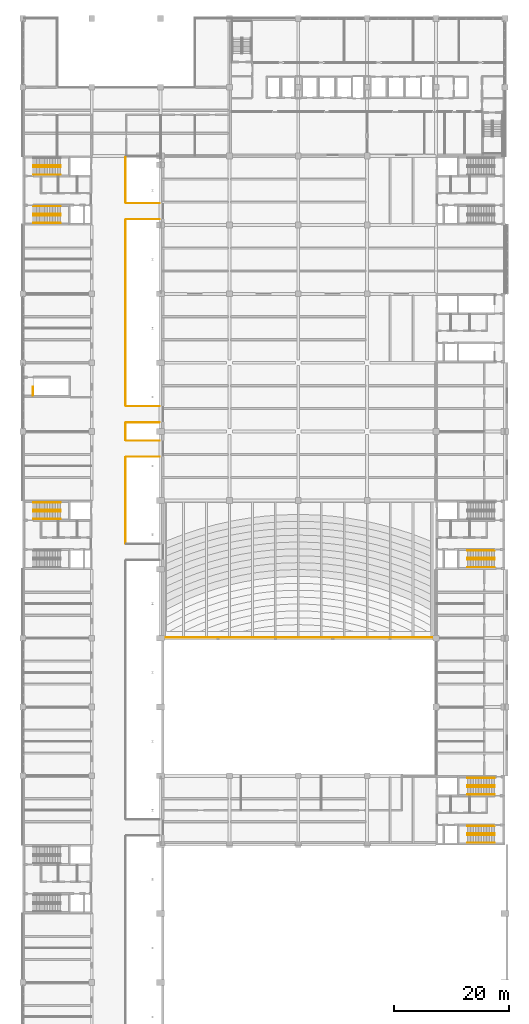
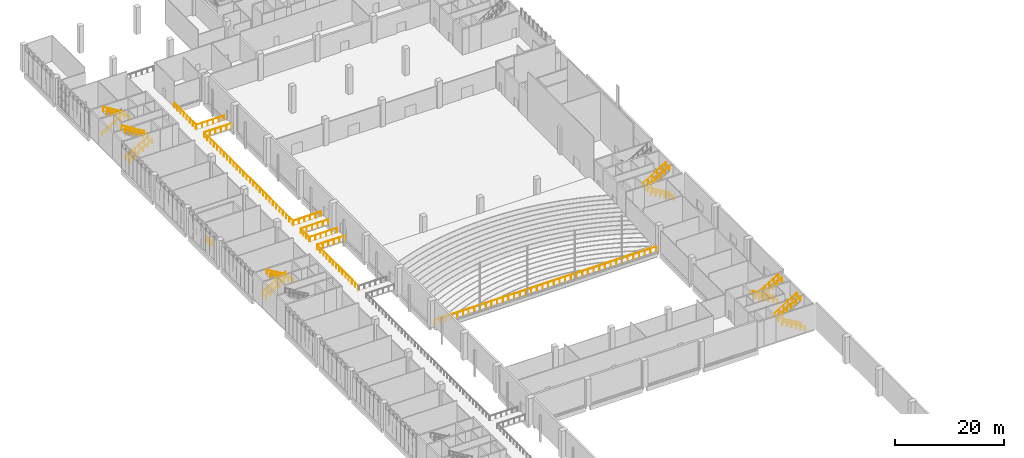
# One storey, part 71 of 72: 35 railings.
"""IFC4 building model written with IfcOpenShell, lengths in metres."""

from ifc_helpers import new_model, si_unit, direction, frame, origin, origin_2d, place, context, subcontext, project, spatial, circle, extrude, material, constituent, constituent_set, type_object, element, save


model = new_model("IFC4")

# Units and contexts
model_context = context("Model", 3, precision=1e-05, world=origin(), true_north=direction((0.0, 1.0)))
body_context = subcontext(model_context, "Body", "Model", "MODEL_VIEW")
ifc_project = project(units=[si_unit("LENGTHUNIT", "METRE"), si_unit("AREAUNIT", "SQUARE_METRE"), si_unit("VOLUMEUNIT", "CUBIC_METRE"), si_unit("PLANEANGLEUNIT", "RADIAN"), si_unit("MASSUNIT", "GRAM", prefix="KILO")], contexts=[model_context])

# Site, building, storey
site_placement = place(None, origin())
site = spatial("IfcSite", under=ifc_project, at=site_placement, CompositionType="ELEMENT")
building_placement = place(site_placement, origin())
building = spatial("IfcBuilding", under=site, at=building_placement, Name="Lilac Gate Convention Centre", CompositionType="ELEMENT")
storey_placement = place(building_placement, frame((0.0, 0.0, 6.0)))
storey = spatial("IfcBuildingStorey", under=building, at=storey_placement, Name="L01", CompositionType="ELEMENT", Elevation=6.0)

# Railings
ifc_material_1 = material(Name="Steel Q355B", Category="steel")
railing_type_1 = type_object("IfcRailingType", Name="Balcony guard 1100", PredefinedType="GUARDRAIL", material=ifc_material_1)
railing_1_placement = place(storey_placement, frame((30.60009765625, 138.10009765625, 0.0)))
element("IfcRailing", 1, at=railing_1_placement, inside=storey, type_object=railing_type_1, Name="GD2 L01 balcony front guard", PredefinedType="GUARDRAIL", context=body_context, shape_type="SweptSolid", body=[
    extrude(circle(Radius=0.02392578125, at=origin_2d()), frame((0.0, 0.0, 1.076171875), z_axis=(1.0, 0.0, 0.0), x_axis=(0.0, 1.0, 0.0)), (0.0, 0.0, 1.0), 46.7998046875),
    extrude(circle(Radius=0.02099609375, at=origin_2d()), origin(), (0.0, 0.0, 1.0), 1.052001953125),
    extrude(circle(Radius=0.02099609375, at=origin_2d()), frame((1.199951171875, 0.0, 0.0)), (0.0, 0.0, 1.0), 1.052001953125),
    extrude(circle(Radius=0.02099609375, at=origin_2d()), frame((2.39990234375, 0.0, 0.0)), (0.0, 0.0, 1.0), 1.052001953125),
    extrude(circle(Radius=0.02099609375, at=origin_2d()), frame((3.60009765625, 0.0, 0.0)), (0.0, 0.0, 1.0), 1.052001953125),
    extrude(circle(Radius=0.02099609375, at=origin_2d()), frame((4.800048828125, 0.0, 0.0)), (0.0, 0.0, 1.0), 1.052001953125),
    extrude(circle(Radius=0.02099609375, at=origin_2d()), frame((6.0, 0.0, 0.0)), (0.0, 0.0, 1.0), 1.052001953125),
    extrude(circle(Radius=0.02099609375, at=origin_2d()), frame((7.199951171875, 0.0, 0.0)), (0.0, 0.0, 1.0), 1.052001953125),
    extrude(circle(Radius=0.02099609375, at=origin_2d()), frame((8.39990234375, 0.0, 0.0)), (0.0, 0.0, 1.0), 1.052001953125),
    extrude(circle(Radius=0.02099609375, at=origin_2d()), frame((9.599853515625, 0.0, 0.0)), (0.0, 0.0, 1.0), 1.052001953125),
    extrude(circle(Radius=0.02099609375, at=origin_2d()), frame((10.800048828125, 0.0, 0.0)), (0.0, 0.0, 1.0), 1.052001953125),
    extrude(circle(Radius=0.02099609375, at=origin_2d()), frame((12.0, 0.0, 0.0)), (0.0, 0.0, 1.0), 1.052001953125),
    extrude(circle(Radius=0.02099609375, at=origin_2d()), frame((13.199951171875, 0.0, 0.0)), (0.0, 0.0, 1.0), 1.052001953125),
    extrude(circle(Radius=0.02099609375, at=origin_2d()), frame((14.39990234375, 0.0, 0.0)), (0.0, 0.0, 1.0), 1.052001953125),
    extrude(circle(Radius=0.02099609375, at=origin_2d()), frame((15.599853515625, 0.0, 0.0)), (0.0, 0.0, 1.0), 1.052001953125),
    extrude(circle(Radius=0.02099609375, at=origin_2d()), frame((16.800048828125, 0.0, 0.0)), (0.0, 0.0, 1.0), 1.052001953125),
    extrude(circle(Radius=0.02099609375, at=origin_2d()), frame((18.0, 0.0, 0.0)), (0.0, 0.0, 1.0), 1.052001953125),
    extrude(circle(Radius=0.02099609375, at=origin_2d()), frame((19.199951171875, 0.0, 0.0)), (0.0, 0.0, 1.0), 1.052001953125),
    extrude(circle(Radius=0.02099609375, at=origin_2d()), frame((20.39990234375, 0.0, 0.0)), (0.0, 0.0, 1.0), 1.052001953125),
    extrude(circle(Radius=0.02099609375, at=origin_2d()), frame((21.599853515625, 0.0, 0.0)), (0.0, 0.0, 1.0), 1.052001953125),
    extrude(circle(Radius=0.02099609375, at=origin_2d()), frame((22.7998046875, 0.0, 0.0)), (0.0, 0.0, 1.0), 1.052001953125),
    extrude(circle(Radius=0.02099609375, at=origin_2d()), frame((24.0, 0.0, 0.0)), (0.0, 0.0, 1.0), 1.052001953125),
    extrude(circle(Radius=0.02099609375, at=origin_2d()), frame((25.199951171875, 0.0, 0.0)), (0.0, 0.0, 1.0), 1.052001953125),
    extrude(circle(Radius=0.02099609375, at=origin_2d()), frame((26.39990234375, 0.0, 0.0)), (0.0, 0.0, 1.0), 1.052001953125),
    extrude(circle(Radius=0.02099609375, at=origin_2d()), frame((27.599853515625, 0.0, 0.0)), (0.0, 0.0, 1.0), 1.052001953125),
    extrude(circle(Radius=0.02099609375, at=origin_2d()), frame((28.7998046875, 0.0, 0.0)), (0.0, 0.0, 1.0), 1.052001953125),
    extrude(circle(Radius=0.02099609375, at=origin_2d()), frame((29.999755859375, 0.0, 0.0)), (0.0, 0.0, 1.0), 1.052001953125),
    extrude(circle(Radius=0.02099609375, at=origin_2d()), frame((31.199951171875, 0.0, 0.0)), (0.0, 0.0, 1.0), 1.052001953125),
    extrude(circle(Radius=0.02099609375, at=origin_2d()), frame((32.39990234375, 0.0, 0.0)), (0.0, 0.0, 1.0), 1.052001953125),
    extrude(circle(Radius=0.02099609375, at=origin_2d()), frame((33.599853515625, 0.0, 0.0)), (0.0, 0.0, 1.0), 1.052001953125),
    extrude(circle(Radius=0.02099609375, at=origin_2d()), frame((34.7998046875, 0.0, 0.0)), (0.0, 0.0, 1.0), 1.052001953125),
    extrude(circle(Radius=0.02099609375, at=origin_2d()), frame((35.999755859375, 0.0, 0.0)), (0.0, 0.0, 1.0), 1.052001953125),
    extrude(circle(Radius=0.02099609375, at=origin_2d()), frame((37.199951171875, 0.0, 0.0)), (0.0, 0.0, 1.0), 1.052001953125),
    extrude(circle(Radius=0.02099609375, at=origin_2d()), frame((38.39990234375, 0.0, 0.0)), (0.0, 0.0, 1.0), 1.052001953125),
    extrude(circle(Radius=0.02099609375, at=origin_2d()), frame((39.599853515625, 0.0, 0.0)), (0.0, 0.0, 1.0), 1.052001953125),
    extrude(circle(Radius=0.02099609375, at=origin_2d()), frame((40.7998046875, 0.0, 0.0)), (0.0, 0.0, 1.0), 1.052001953125),
    extrude(circle(Radius=0.02099609375, at=origin_2d()), frame((41.999755859375, 0.0, 0.0)), (0.0, 0.0, 1.0), 1.052001953125),
    extrude(circle(Radius=0.02099609375, at=origin_2d()), frame((43.19970703125, 0.0, 0.0)), (0.0, 0.0, 1.0), 1.052001953125),
    extrude(circle(Radius=0.02099609375, at=origin_2d()), frame((44.39990234375, 0.0, 0.0)), (0.0, 0.0, 1.0), 1.052001953125),
    extrude(circle(Radius=0.02099609375, at=origin_2d()), frame((45.599853515625, 0.0, 0.0)), (0.0, 0.0, 1.0), 1.052001953125),
    extrude(circle(Radius=0.02099609375, at=origin_2d()), frame((46.7998046875, 0.0, 0.0)), (0.0, 0.0, 1.0), 1.052001953125),
])
ifc_material_2 = material(Name="Steel Q235B", Category="steel")
ifc_constituent_1 = constituent(ifc_material_2, Name="Frame")
ifc_material_3 = material(Name="Safety glass, bonded interlayer", Category="glass")
ifc_constituent_2 = constituent(ifc_material_3, Name="Infill")
ifc_constituent_set = constituent_set(constituents=[ifc_constituent_1, ifc_constituent_2], Name="Steel Q235B, Safety glass, bonded interlayer")
railing_type_2 = type_object("IfcRailingType", Name="Guard 1100 steel and glass", PredefinedType="GUARDRAIL", material=ifc_constituent_set)
railing_2_placement = place(storey_placement, frame((7.75, 180.300048828125, 0.0)))
element("IfcRailing", 2, at=railing_2_placement, inside=storey, type_object=railing_type_2, Name="Stairwell guard UW2", PredefinedType="GUARDRAIL", context=body_context, shape_type="SweptSolid", body=[
    extrude(circle(Radius=0.02392578125, at=origin_2d()), frame((0.0, 0.0, 1.076171875), z_axis=(0.0, 1.0, 0.0), x_axis=(-1.0, 0.0, 0.0)), (0.0, 0.0, 1.0), 1.5),
    extrude(circle(Radius=0.02099609375, at=origin_2d()), origin(), (0.0, 0.0, 1.0), 1.052001953125),
    extrude(circle(Radius=0.02099609375, at=origin_2d()), frame((0.0, 0.75, 0.0)), (0.0, 0.0, 1.0), 1.052001953125),
    extrude(circle(Radius=0.02099609375, at=origin_2d()), frame((0.0, 1.5, 0.0)), (0.0, 0.0, 1.0), 1.052001953125),
])
railing_3_placement = place(storey_placement, frame((23.89990234375, 154.5, 0.0)))
element("IfcRailing", 3, at=railing_3_placement, inside=storey, type_object=railing_type_2, Name="Gallery guard L01", PredefinedType="GUARDRAIL", context=body_context, shape_type="SweptSolid", body=[
    extrude(circle(Radius=0.02392578125, at=origin_2d()), frame((0.0, 0.0, 1.076171875), z_axis=(0.0, 1.0, 0.0), x_axis=(-1.0, 0.0, 0.0)), (0.0, 0.0, 1.0), 15.0),
    extrude(circle(Radius=0.02099609375, at=origin_2d()), origin(), (0.0, 0.0, 1.0), 1.052001953125),
    extrude(circle(Radius=0.02099609375, at=origin_2d()), frame((0.0, 1.15380859375, 0.0)), (0.0, 0.0, 1.0), 1.052001953125),
    extrude(circle(Radius=0.02099609375, at=origin_2d()), frame((0.0, 2.3076171875, 0.0)), (0.0, 0.0, 1.0), 1.052001953125),
    extrude(circle(Radius=0.02099609375, at=origin_2d()), frame((0.0, 3.46142578125, 0.0)), (0.0, 0.0, 1.0), 1.052001953125),
    extrude(circle(Radius=0.02099609375, at=origin_2d()), frame((0.0, 4.615478515625, 0.0)), (0.0, 0.0, 1.0), 1.052001953125),
    extrude(circle(Radius=0.02099609375, at=origin_2d()), frame((0.0, 5.769287109375, 0.0)), (0.0, 0.0, 1.0), 1.052001953125),
    extrude(circle(Radius=0.02099609375, at=origin_2d()), frame((0.0, 6.923095703125, 0.0)), (0.0, 0.0, 1.0), 1.052001953125),
    extrude(circle(Radius=0.02099609375, at=origin_2d()), frame((0.0, 8.076904296875, 0.0)), (0.0, 0.0, 1.0), 1.052001953125),
    extrude(circle(Radius=0.02099609375, at=origin_2d()), frame((0.0, 9.230712890625, 0.0)), (0.0, 0.0, 1.0), 1.052001953125),
    extrude(circle(Radius=0.02099609375, at=origin_2d()), frame((0.0, 10.384521484375, 0.0)), (0.0, 0.0, 1.0), 1.052001953125),
    extrude(circle(Radius=0.02099609375, at=origin_2d()), frame((0.0, 11.53857421875, 0.0)), (0.0, 0.0, 1.0), 1.052001953125),
    extrude(circle(Radius=0.02099609375, at=origin_2d()), frame((0.0, 12.6923828125, 0.0)), (0.0, 0.0, 1.0), 1.052001953125),
    extrude(circle(Radius=0.02099609375, at=origin_2d()), frame((0.0, 13.84619140625, 0.0)), (0.0, 0.0, 1.0), 1.052001953125),
    extrude(circle(Radius=0.02099609375, at=origin_2d()), frame((0.0, 15.0, 0.0)), (0.0, 0.0, 1.0), 1.052001953125),
])
railing_4_placement = place(storey_placement, frame((23.89990234375, 172.5, 0.0)))
element("IfcRailing", 4, at=railing_4_placement, inside=storey, type_object=railing_type_2, Name="Gallery guard L01", PredefinedType="GUARDRAIL", context=body_context, shape_type="SweptSolid", body=[
    extrude(circle(Radius=0.02392578125, at=origin_2d()), frame((0.0, 0.0, 1.076171875), z_axis=(0.0, 1.0, 0.0), x_axis=(-1.0, 0.0, 0.0)), (0.0, 0.0, 1.0), 3.0),
    extrude(circle(Radius=0.02099609375, at=origin_2d()), origin(), (0.0, 0.0, 1.0), 1.052001953125),
    extrude(circle(Radius=0.02099609375, at=origin_2d()), frame((0.0, 1.0, 0.0)), (0.0, 0.0, 1.0), 1.052001953125),
    extrude(circle(Radius=0.02099609375, at=origin_2d()), frame((0.0, 2.0, 0.0)), (0.0, 0.0, 1.0), 1.052001953125),
    extrude(circle(Radius=0.02099609375, at=origin_2d()), frame((0.0, 3.0, 0.0)), (0.0, 0.0, 1.0), 1.052001953125),
])
railing_5_placement = place(storey_placement, frame((23.89990234375, 178.5, 0.0)))
element("IfcRailing", 5, at=railing_5_placement, inside=storey, type_object=railing_type_2, Name="Gallery guard L01", PredefinedType="GUARDRAIL", context=body_context, shape_type="SweptSolid", body=[
    extrude(circle(Radius=0.02392578125, at=origin_2d()), frame((0.0, 0.0, 1.076171875), z_axis=(0.0, 1.0, 0.0), x_axis=(-1.0, 0.0, 0.0)), (0.0, 0.0, 1.0), 32.39990234375),
    extrude(circle(Radius=0.02099609375, at=origin_2d()), origin(), (0.0, 0.0, 1.0), 1.052001953125),
    extrude(circle(Radius=0.02099609375, at=origin_2d()), frame((0.0, 1.199951171875, 0.0)), (0.0, 0.0, 1.0), 1.052001953125),
    extrude(circle(Radius=0.02099609375, at=origin_2d()), frame((0.0, 2.39990234375, 0.0)), (0.0, 0.0, 1.0), 1.052001953125),
    extrude(circle(Radius=0.02099609375, at=origin_2d()), frame((0.0, 3.60009765625, 0.0)), (0.0, 0.0, 1.0), 1.052001953125),
    extrude(circle(Radius=0.02099609375, at=origin_2d()), frame((0.0, 4.800048828125, 0.0)), (0.0, 0.0, 1.0), 1.052001953125),
    extrude(circle(Radius=0.02099609375, at=origin_2d()), frame((0.0, 6.0, 0.0)), (0.0, 0.0, 1.0), 1.052001953125),
    extrude(circle(Radius=0.02099609375, at=origin_2d()), frame((0.0, 7.199951171875, 0.0)), (0.0, 0.0, 1.0), 1.052001953125),
    extrude(circle(Radius=0.02099609375, at=origin_2d()), frame((0.0, 8.39990234375, 0.0)), (0.0, 0.0, 1.0), 1.052001953125),
    extrude(circle(Radius=0.02099609375, at=origin_2d()), frame((0.0, 9.599853515625, 0.0)), (0.0, 0.0, 1.0), 1.052001953125),
    extrude(circle(Radius=0.02099609375, at=origin_2d()), frame((0.0, 10.800048828125, 0.0)), (0.0, 0.0, 1.0), 1.052001953125),
    extrude(circle(Radius=0.02099609375, at=origin_2d()), frame((0.0, 12.0, 0.0)), (0.0, 0.0, 1.0), 1.052001953125),
    extrude(circle(Radius=0.02099609375, at=origin_2d()), frame((0.0, 13.199951171875, 0.0)), (0.0, 0.0, 1.0), 1.052001953125),
    extrude(circle(Radius=0.02099609375, at=origin_2d()), frame((0.0, 14.39990234375, 0.0)), (0.0, 0.0, 1.0), 1.052001953125),
    extrude(circle(Radius=0.02099609375, at=origin_2d()), frame((0.0, 15.599853515625, 0.0)), (0.0, 0.0, 1.0), 1.052001953125),
    extrude(circle(Radius=0.02099609375, at=origin_2d()), frame((0.0, 16.800048828125, 0.0)), (0.0, 0.0, 1.0), 1.052001953125),
    extrude(circle(Radius=0.02099609375, at=origin_2d()), frame((0.0, 18.0, 0.0)), (0.0, 0.0, 1.0), 1.052001953125),
    extrude(circle(Radius=0.02099609375, at=origin_2d()), frame((0.0, 19.199951171875, 0.0)), (0.0, 0.0, 1.0), 1.052001953125),
    extrude(circle(Radius=0.02099609375, at=origin_2d()), frame((0.0, 20.39990234375, 0.0)), (0.0, 0.0, 1.0), 1.052001953125),
    extrude(circle(Radius=0.02099609375, at=origin_2d()), frame((0.0, 21.599853515625, 0.0)), (0.0, 0.0, 1.0), 1.052001953125),
    extrude(circle(Radius=0.02099609375, at=origin_2d()), frame((0.0, 22.800048828125, 0.0)), (0.0, 0.0, 1.0), 1.052001953125),
    extrude(circle(Radius=0.02099609375, at=origin_2d()), frame((0.0, 24.0, 0.0)), (0.0, 0.0, 1.0), 1.052001953125),
    extrude(circle(Radius=0.02099609375, at=origin_2d()), frame((0.0, 25.199951171875, 0.0)), (0.0, 0.0, 1.0), 1.052001953125),
    extrude(circle(Radius=0.02099609375, at=origin_2d()), frame((0.0, 26.39990234375, 0.0)), (0.0, 0.0, 1.0), 1.052001953125),
    extrude(circle(Radius=0.02099609375, at=origin_2d()), frame((0.0, 27.599853515625, 0.0)), (0.0, 0.0, 1.0), 1.052001953125),
    extrude(circle(Radius=0.02099609375, at=origin_2d()), frame((0.0, 28.7998046875, 0.0)), (0.0, 0.0, 1.0), 1.052001953125),
    extrude(circle(Radius=0.02099609375, at=origin_2d()), frame((0.0, 30.0, 0.0)), (0.0, 0.0, 1.0), 1.052001953125),
    extrude(circle(Radius=0.02099609375, at=origin_2d()), frame((0.0, 31.199951171875, 0.0)), (0.0, 0.0, 1.0), 1.052001953125),
    extrude(circle(Radius=0.02099609375, at=origin_2d()), frame((0.0, 32.39990234375, 0.0)), (0.0, 0.0, 1.0), 1.052001953125),
])
railing_6_placement = place(storey_placement, frame((23.89990234375, 213.89990234375, 0.0)))
element("IfcRailing", 6, at=railing_6_placement, inside=storey, type_object=railing_type_2, Name="Gallery guard L01", PredefinedType="GUARDRAIL", context=body_context, shape_type="SweptSolid", body=[
    extrude(circle(Radius=0.02392578125, at=origin_2d()), frame((0.0, 0.0, 1.076171875), z_axis=(0.0, 1.0, 0.0), x_axis=(-1.0, 0.0, 0.0)), (0.0, 0.0, 1.0), 7.900146484375),
    extrude(circle(Radius=0.02099609375, at=origin_2d()), origin(), (0.0, 0.0, 1.0), 1.052001953125),
    extrude(circle(Radius=0.02099609375, at=origin_2d()), frame((0.0, 1.128662109375, 0.0)), (0.0, 0.0, 1.0), 1.052001953125),
    extrude(circle(Radius=0.02099609375, at=origin_2d()), frame((0.0, 2.257080078125, 0.0)), (0.0, 0.0, 1.0), 1.052001953125),
    extrude(circle(Radius=0.02099609375, at=origin_2d()), frame((0.0, 3.3857421875, 0.0)), (0.0, 0.0, 1.0), 1.052001953125),
    extrude(circle(Radius=0.02099609375, at=origin_2d()), frame((0.0, 4.514404296875, 0.0)), (0.0, 0.0, 1.0), 1.052001953125),
    extrude(circle(Radius=0.02099609375, at=origin_2d()), frame((0.0, 5.64306640625, 0.0)), (0.0, 0.0, 1.0), 1.052001953125),
    extrude(circle(Radius=0.02099609375, at=origin_2d()), frame((0.0, 6.771484375, 0.0)), (0.0, 0.0, 1.0), 1.052001953125),
    extrude(circle(Radius=0.02099609375, at=origin_2d()), frame((0.0, 7.900146484375, 0.0)), (0.0, 0.0, 1.0), 1.052001953125),
])
for number, where, name in (
    (7, (24.0, 169.60009765625, 0.0), "Bridge guard L01"),
    (8, (24.0, 172.39990234375, 0.0), "Bridge guard L01"),
    (9, (24.0, 175.60009765625, 0.0), "Bridge guard L01"),
    (10, (24.0, 178.39990234375, 0.0), "Bridge guard L01"),
    (11, (24.0, 211.0, 0.0), "Bridge guard L01"),
    (12, (24.0, 213.800048828125, 0.0), "Bridge guard L01"),
):
    element("IfcRailing", number, at=place(storey_placement, frame(where)), inside=storey, type_object=railing_type_2, Name=name, PredefinedType="GUARDRAIL", context=body_context, shape_type="SweptSolid", body=[
        extrude(circle(Radius=0.02392578125, at=origin_2d()), frame((0.0, 0.0, 1.076171875), z_axis=(1.0, 0.0, 0.0), x_axis=(0.0, 1.0, 0.0)), (0.0, 0.0, 1.0), 5.800048828125),
        extrude(circle(Radius=0.02099609375, at=origin_2d()), origin(), (0.0, 0.0, 1.0), 1.052001953125),
        extrude(circle(Radius=0.02099609375, at=origin_2d()), frame((1.159912109375, 0.0, 0.0)), (0.0, 0.0, 1.0), 1.052001953125),
        extrude(circle(Radius=0.02099609375, at=origin_2d()), frame((2.320068359375, 0.0, 0.0)), (0.0, 0.0, 1.0), 1.052001953125),
        extrude(circle(Radius=0.02099609375, at=origin_2d()), frame((3.47998046875, 0.0, 0.0)), (0.0, 0.0, 1.0), 1.052001953125),
        extrude(circle(Radius=0.02099609375, at=origin_2d()), frame((4.64013671875, 0.0, 0.0)), (0.0, 0.0, 1.0), 1.052001953125),
        extrude(circle(Radius=0.02099609375, at=origin_2d()), frame((5.800048828125, 0.0, 0.0)), (0.0, 0.0, 1.0), 1.052001953125),
    ])
ifc_material_4 = material(Name="Stainless steel 304", Category="steel")
railing_type_3 = type_object("IfcRailingType", Name="Stair handrail 900", PredefinedType="HANDRAIL", material=ifc_material_4)
for number, where, name in (
    (13, (7.800048828125, 160.35009765625, 0.166748046875), "Stair handrail W3B"),
    (14, (7.800048828125, 161.64990234375, 0.166748046875), "Stair handrail W3B"),
):
    element("IfcRailing", number, at=place(storey_placement, frame(where)), inside=storey, type_object=railing_type_3, Name=name, PredefinedType="HANDRAIL", context=body_context, shape_type="SweptSolid", body=[
        extrude(circle(Radius=0.02392578125, at=origin_2d()), frame((0.0, 0.0, 0.8759765625), z_axis=(0.859299802514, 0.0, 0.511472237174), x_axis=(0.0, 1.0, 0.0)), (0.0, 0.0, 1.0), 5.539306640625),
        extrude(circle(Radius=0.02099609375, at=origin_2d()), origin(), (0.0, 0.0, 1.0), 0.851806640625),
        extrude(circle(Radius=0.02099609375, at=origin_2d()), frame((0.951904296875, 0.0, 0.566650390625)), (0.0, 0.0, 1.0), 0.851806640625),
        extrude(circle(Radius=0.02099609375, at=origin_2d()), frame((1.904052734375, 0.0, 1.13330078125)), (0.0, 0.0, 1.0), 0.851806640625),
        extrude(circle(Radius=0.02099609375, at=origin_2d()), frame((2.85595703125, 0.0, 1.699951171875)), (0.0, 0.0, 1.0), 0.851806640625),
        extrude(circle(Radius=0.02099609375, at=origin_2d()), frame((3.80810546875, 0.0, 2.2666015625)), (0.0, 0.0, 1.0), 0.851806640625),
        extrude(circle(Radius=0.02099609375, at=origin_2d()), frame((4.760009765625, 0.0, 2.833251953125)), (0.0, 0.0, 1.0), 0.851806640625),
    ])
for number, where, name in (
    (15, (12.56005859375, 158.75, 3.166748046875), "Stair handrail W3B"),
    (16, (12.56005859375, 160.050048828125, 3.166748046875), "Stair handrail W3B"),
):
    element("IfcRailing", number, at=place(storey_placement, frame(where)), inside=storey, type_object=railing_type_3, Name=name, PredefinedType="HANDRAIL", context=body_context, shape_type="SweptSolid", body=[
        extrude(circle(Radius=0.02392578125, at=origin_2d()), frame((0.0, 0.0, 0.8759765625), z_axis=(-0.859299802514, 0.0, 0.511472237174), x_axis=(0.0, -1.0, 0.0)), (0.0, 0.0, 1.0), 5.539306640625),
        extrude(circle(Radius=0.02099609375, at=origin_2d()), origin(), (0.0, 0.0, 1.0), 0.851806640625),
        extrude(circle(Radius=0.02099609375, at=origin_2d()), frame((-0.951904296875, 0.0, 0.566650390625)), (0.0, 0.0, 1.0), 0.851806640625),
        extrude(circle(Radius=0.02099609375, at=origin_2d()), frame((-1.904052734375, 0.0, 1.13330078125)), (0.0, 0.0, 1.0), 0.851806640625),
        extrude(circle(Radius=0.02099609375, at=origin_2d()), frame((-2.85595703125, 0.0, 1.699951171875)), (0.0, 0.0, 1.0), 0.851806640625),
        extrude(circle(Radius=0.02099609375, at=origin_2d()), frame((-3.80810546875, 0.0, 2.2666015625)), (0.0, 0.0, 1.0), 0.851806640625),
        extrude(circle(Radius=0.02099609375, at=origin_2d()), frame((-4.760009765625, 0.0, 2.833251953125)), (0.0, 0.0, 1.0), 0.851806640625),
    ])
for number, where, name in (
    (17, (7.800048828125, 210.35009765625, 0.166748046875), "Stair handrail W4A"),
    (18, (7.800048828125, 211.64990234375, 0.166748046875), "Stair handrail W4A"),
):
    element("IfcRailing", number, at=place(storey_placement, frame(where)), inside=storey, type_object=railing_type_3, Name=name, PredefinedType="HANDRAIL", context=body_context, shape_type="SweptSolid", body=[
        extrude(circle(Radius=0.02392578125, at=origin_2d()), frame((0.0, 0.0, 0.8759765625), z_axis=(0.859299802514, 0.0, 0.511472237174), x_axis=(0.0, 1.0, 0.0)), (0.0, 0.0, 1.0), 5.539306640625),
        extrude(circle(Radius=0.02099609375, at=origin_2d()), origin(), (0.0, 0.0, 1.0), 0.851806640625),
        extrude(circle(Radius=0.02099609375, at=origin_2d()), frame((0.951904296875, 0.0, 0.566650390625)), (0.0, 0.0, 1.0), 0.851806640625),
        extrude(circle(Radius=0.02099609375, at=origin_2d()), frame((1.904052734375, 0.0, 1.13330078125)), (0.0, 0.0, 1.0), 0.851806640625),
        extrude(circle(Radius=0.02099609375, at=origin_2d()), frame((2.85595703125, 0.0, 1.699951171875)), (0.0, 0.0, 1.0), 0.851806640625),
        extrude(circle(Radius=0.02099609375, at=origin_2d()), frame((3.80810546875, 0.0, 2.2666015625)), (0.0, 0.0, 1.0), 0.851806640625),
        extrude(circle(Radius=0.02099609375, at=origin_2d()), frame((4.760009765625, 0.0, 2.833251953125)), (0.0, 0.0, 1.0), 0.851806640625),
    ])
for number, where, name in (
    (19, (12.56005859375, 211.949951171875, 3.166748046875), "Stair handrail W4A"),
    (20, (12.56005859375, 213.25, 3.166748046875), "Stair handrail W4A"),
):
    element("IfcRailing", number, at=place(storey_placement, frame(where)), inside=storey, type_object=railing_type_3, Name=name, PredefinedType="HANDRAIL", context=body_context, shape_type="SweptSolid", body=[
        extrude(circle(Radius=0.02392578125, at=origin_2d()), frame((0.0, 0.0, 0.8759765625), z_axis=(-0.859299802514, 0.0, 0.511472237174), x_axis=(0.0, -1.0, 0.0)), (0.0, 0.0, 1.0), 5.539306640625),
        extrude(circle(Radius=0.02099609375, at=origin_2d()), origin(), (0.0, 0.0, 1.0), 0.851806640625),
        extrude(circle(Radius=0.02099609375, at=origin_2d()), frame((-0.951904296875, 0.0, 0.566650390625)), (0.0, 0.0, 1.0), 0.851806640625),
        extrude(circle(Radius=0.02099609375, at=origin_2d()), frame((-1.904052734375, 0.0, 1.13330078125)), (0.0, 0.0, 1.0), 0.851806640625),
        extrude(circle(Radius=0.02099609375, at=origin_2d()), frame((-2.85595703125, 0.0, 1.699951171875)), (0.0, 0.0, 1.0), 0.851806640625),
        extrude(circle(Radius=0.02099609375, at=origin_2d()), frame((-3.80810546875, 0.0, 2.2666015625)), (0.0, 0.0, 1.0), 0.851806640625),
        extrude(circle(Radius=0.02099609375, at=origin_2d()), frame((-4.760009765625, 0.0, 2.833251953125)), (0.0, 0.0, 1.0), 0.851806640625),
    ])
railing_7_placement = place(storey_placement, frame((7.800048828125, 220.35009765625, 0.166748046875)))
element("IfcRailing", 21, at=railing_7_placement, inside=storey, type_object=railing_type_3, Name="Stair handrail W4B", PredefinedType="HANDRAIL", context=body_context, shape_type="SweptSolid", body=[
    extrude(circle(Radius=0.02392578125, at=origin_2d()), frame((0.0, 0.0, 0.8759765625), z_axis=(0.859299802514, 0.0, 0.511472237174), x_axis=(0.0, 1.0, 0.0)), (0.0, 0.0, 1.0), 5.539306640625),
    extrude(circle(Radius=0.02099609375, at=origin_2d()), origin(), (0.0, 0.0, 1.0), 0.851806640625),
    extrude(circle(Radius=0.02099609375, at=origin_2d()), frame((0.951904296875, 0.0, 0.566650390625)), (0.0, 0.0, 1.0), 0.851806640625),
    extrude(circle(Radius=0.02099609375, at=origin_2d()), frame((1.904052734375, 0.0, 1.13330078125)), (0.0, 0.0, 1.0), 0.851806640625),
    extrude(circle(Radius=0.02099609375, at=origin_2d()), frame((2.85595703125, 0.0, 1.699951171875)), (0.0, 0.0, 1.0), 0.851806640625),
    extrude(circle(Radius=0.02099609375, at=origin_2d()), frame((3.80810546875, 0.0, 2.2666015625)), (0.0, 0.0, 1.0), 0.851806640625),
    extrude(circle(Radius=0.02099609375, at=origin_2d()), frame((4.760009765625, 0.0, 2.833251953125)), (0.0, 0.0, 1.0), 0.851806640625),
])
for number, where, name in (
    (22, (12.56005859375, 218.75, 3.166748046875), "Stair handrail W4B"),
    (23, (12.56005859375, 220.050048828125, 3.166748046875), "Stair handrail W4B"),
    (24, (88.199951171875, 102.35009765625, 0.166748046875), "Stair handrail E1A"),
    (25, (88.199951171875, 103.64990234375, 0.166748046875), "Stair handrail E1A"),
):
    element("IfcRailing", number, at=place(storey_placement, frame(where)), inside=storey, type_object=railing_type_3, Name=name, PredefinedType="HANDRAIL", context=body_context, shape_type="SweptSolid", body=[
        extrude(circle(Radius=0.02392578125, at=origin_2d()), frame((0.0, 0.0, 0.8759765625), z_axis=(-0.859299802514, 0.0, 0.511472237174), x_axis=(0.0, -1.0, 0.0)), (0.0, 0.0, 1.0), 5.539306640625),
        extrude(circle(Radius=0.02099609375, at=origin_2d()), origin(), (0.0, 0.0, 1.0), 0.851806640625),
        extrude(circle(Radius=0.02099609375, at=origin_2d()), frame((-0.951904296875, 0.0, 0.566650390625)), (0.0, 0.0, 1.0), 0.851806640625),
        extrude(circle(Radius=0.02099609375, at=origin_2d()), frame((-1.904052734375, 0.0, 1.13330078125)), (0.0, 0.0, 1.0), 0.851806640625),
        extrude(circle(Radius=0.02099609375, at=origin_2d()), frame((-2.85595703125, 0.0, 1.699951171875)), (0.0, 0.0, 1.0), 0.851806640625),
        extrude(circle(Radius=0.02099609375, at=origin_2d()), frame((-3.80810546875, 0.0, 2.2666015625)), (0.0, 0.0, 1.0), 0.851806640625),
        extrude(circle(Radius=0.02099609375, at=origin_2d()), frame((-4.760009765625, 0.0, 2.833251953125)), (0.0, 0.0, 1.0), 0.851806640625),
    ])
for number, where, name in (
    (26, (83.43994140625, 103.949951171875, 3.166748046875), "Stair handrail E1A"),
    (27, (83.43994140625, 105.25, 3.166748046875), "Stair handrail E1A"),
):
    element("IfcRailing", number, at=place(storey_placement, frame(where)), inside=storey, type_object=railing_type_3, Name=name, PredefinedType="HANDRAIL", context=body_context, shape_type="SweptSolid", body=[
        extrude(circle(Radius=0.02392578125, at=origin_2d()), frame((0.0, 0.0, 0.8759765625), z_axis=(0.859299802514, 0.0, 0.511472237174), x_axis=(0.0, 1.0, 0.0)), (0.0, 0.0, 1.0), 5.539306640625),
        extrude(circle(Radius=0.02099609375, at=origin_2d()), origin(), (0.0, 0.0, 1.0), 0.851806640625),
        extrude(circle(Radius=0.02099609375, at=origin_2d()), frame((0.951904296875, 0.0, 0.566650390625)), (0.0, 0.0, 1.0), 0.851806640625),
        extrude(circle(Radius=0.02099609375, at=origin_2d()), frame((1.904052734375, 0.0, 1.13330078125)), (0.0, 0.0, 1.0), 0.851806640625),
        extrude(circle(Radius=0.02099609375, at=origin_2d()), frame((2.85595703125, 0.0, 1.699951171875)), (0.0, 0.0, 1.0), 0.851806640625),
        extrude(circle(Radius=0.02099609375, at=origin_2d()), frame((3.80810546875, 0.0, 2.2666015625)), (0.0, 0.0, 1.0), 0.851806640625),
        extrude(circle(Radius=0.02099609375, at=origin_2d()), frame((4.760009765625, 0.0, 2.833251953125)), (0.0, 0.0, 1.0), 0.851806640625),
    ])
for number, where, name in (
    (28, (88.199951171875, 112.35009765625, 0.166748046875), "Stair handrail E1B"),
    (29, (88.199951171875, 113.64990234375, 0.166748046875), "Stair handrail E1B"),
):
    element("IfcRailing", number, at=place(storey_placement, frame(where)), inside=storey, type_object=railing_type_3, Name=name, PredefinedType="HANDRAIL", context=body_context, shape_type="SweptSolid", body=[
        extrude(circle(Radius=0.02392578125, at=origin_2d()), frame((0.0, 0.0, 0.8759765625), z_axis=(-0.859299802514, 0.0, 0.511472237174), x_axis=(0.0, -1.0, 0.0)), (0.0, 0.0, 1.0), 5.539306640625),
        extrude(circle(Radius=0.02099609375, at=origin_2d()), origin(), (0.0, 0.0, 1.0), 0.851806640625),
        extrude(circle(Radius=0.02099609375, at=origin_2d()), frame((-0.951904296875, 0.0, 0.566650390625)), (0.0, 0.0, 1.0), 0.851806640625),
        extrude(circle(Radius=0.02099609375, at=origin_2d()), frame((-1.904052734375, 0.0, 1.13330078125)), (0.0, 0.0, 1.0), 0.851806640625),
        extrude(circle(Radius=0.02099609375, at=origin_2d()), frame((-2.85595703125, 0.0, 1.699951171875)), (0.0, 0.0, 1.0), 0.851806640625),
        extrude(circle(Radius=0.02099609375, at=origin_2d()), frame((-3.80810546875, 0.0, 2.2666015625)), (0.0, 0.0, 1.0), 0.851806640625),
        extrude(circle(Radius=0.02099609375, at=origin_2d()), frame((-4.760009765625, 0.0, 2.833251953125)), (0.0, 0.0, 1.0), 0.851806640625),
    ])
for number, where, name in (
    (30, (83.43994140625, 110.75, 3.166748046875), "Stair handrail E1B"),
    (31, (83.43994140625, 112.050048828125, 3.166748046875), "Stair handrail E1B"),
):
    element("IfcRailing", number, at=place(storey_placement, frame(where)), inside=storey, type_object=railing_type_3, Name=name, PredefinedType="HANDRAIL", context=body_context, shape_type="SweptSolid", body=[
        extrude(circle(Radius=0.02392578125, at=origin_2d()), frame((0.0, 0.0, 0.8759765625), z_axis=(0.859299802514, 0.0, 0.511472237174), x_axis=(0.0, 1.0, 0.0)), (0.0, 0.0, 1.0), 5.539306640625),
        extrude(circle(Radius=0.02099609375, at=origin_2d()), origin(), (0.0, 0.0, 1.0), 0.851806640625),
        extrude(circle(Radius=0.02099609375, at=origin_2d()), frame((0.951904296875, 0.0, 0.566650390625)), (0.0, 0.0, 1.0), 0.851806640625),
        extrude(circle(Radius=0.02099609375, at=origin_2d()), frame((1.904052734375, 0.0, 1.13330078125)), (0.0, 0.0, 1.0), 0.851806640625),
        extrude(circle(Radius=0.02099609375, at=origin_2d()), frame((2.85595703125, 0.0, 1.699951171875)), (0.0, 0.0, 1.0), 0.851806640625),
        extrude(circle(Radius=0.02099609375, at=origin_2d()), frame((3.80810546875, 0.0, 2.2666015625)), (0.0, 0.0, 1.0), 0.851806640625),
        extrude(circle(Radius=0.02099609375, at=origin_2d()), frame((4.760009765625, 0.0, 2.833251953125)), (0.0, 0.0, 1.0), 0.851806640625),
    ])
for number, where, name in (
    (32, (88.199951171875, 150.35009765625, 0.166748046875), "Stair handrail E2A"),
    (33, (88.199951171875, 151.64990234375, 0.166748046875), "Stair handrail E2A"),
):
    element("IfcRailing", number, at=place(storey_placement, frame(where)), inside=storey, type_object=railing_type_3, Name=name, PredefinedType="HANDRAIL", context=body_context, shape_type="SweptSolid", body=[
        extrude(circle(Radius=0.02392578125, at=origin_2d()), frame((0.0, 0.0, 0.8759765625), z_axis=(-0.859299802514, 0.0, 0.511472237174), x_axis=(0.0, -1.0, 0.0)), (0.0, 0.0, 1.0), 5.539306640625),
        extrude(circle(Radius=0.02099609375, at=origin_2d()), origin(), (0.0, 0.0, 1.0), 0.851806640625),
        extrude(circle(Radius=0.02099609375, at=origin_2d()), frame((-0.951904296875, 0.0, 0.566650390625)), (0.0, 0.0, 1.0), 0.851806640625),
        extrude(circle(Radius=0.02099609375, at=origin_2d()), frame((-1.904052734375, 0.0, 1.13330078125)), (0.0, 0.0, 1.0), 0.851806640625),
        extrude(circle(Radius=0.02099609375, at=origin_2d()), frame((-2.85595703125, 0.0, 1.699951171875)), (0.0, 0.0, 1.0), 0.851806640625),
        extrude(circle(Radius=0.02099609375, at=origin_2d()), frame((-3.80810546875, 0.0, 2.2666015625)), (0.0, 0.0, 1.0), 0.851806640625),
        extrude(circle(Radius=0.02099609375, at=origin_2d()), frame((-4.760009765625, 0.0, 2.833251953125)), (0.0, 0.0, 1.0), 0.851806640625),
    ])
for number, where, name in (
    (34, (83.43994140625, 151.949951171875, 3.166748046875), "Stair handrail E2A"),
    (35, (83.43994140625, 153.25, 3.166748046875), "Stair handrail E2A"),
):
    element("IfcRailing", number, at=place(storey_placement, frame(where)), inside=storey, type_object=railing_type_3, Name=name, PredefinedType="HANDRAIL", context=body_context, shape_type="SweptSolid", body=[
        extrude(circle(Radius=0.02392578125, at=origin_2d()), frame((0.0, 0.0, 0.8759765625), z_axis=(0.859299802514, 0.0, 0.511472237174), x_axis=(0.0, 1.0, 0.0)), (0.0, 0.0, 1.0), 5.539306640625),
        extrude(circle(Radius=0.02099609375, at=origin_2d()), origin(), (0.0, 0.0, 1.0), 0.851806640625),
        extrude(circle(Radius=0.02099609375, at=origin_2d()), frame((0.951904296875, 0.0, 0.566650390625)), (0.0, 0.0, 1.0), 0.851806640625),
        extrude(circle(Radius=0.02099609375, at=origin_2d()), frame((1.904052734375, 0.0, 1.13330078125)), (0.0, 0.0, 1.0), 0.851806640625),
        extrude(circle(Radius=0.02099609375, at=origin_2d()), frame((2.85595703125, 0.0, 1.699951171875)), (0.0, 0.0, 1.0), 0.851806640625),
        extrude(circle(Radius=0.02099609375, at=origin_2d()), frame((3.80810546875, 0.0, 2.2666015625)), (0.0, 0.0, 1.0), 0.851806640625),
        extrude(circle(Radius=0.02099609375, at=origin_2d()), frame((4.760009765625, 0.0, 2.833251953125)), (0.0, 0.0, 1.0), 0.851806640625),
    ])

save(model, "model.ifc")
